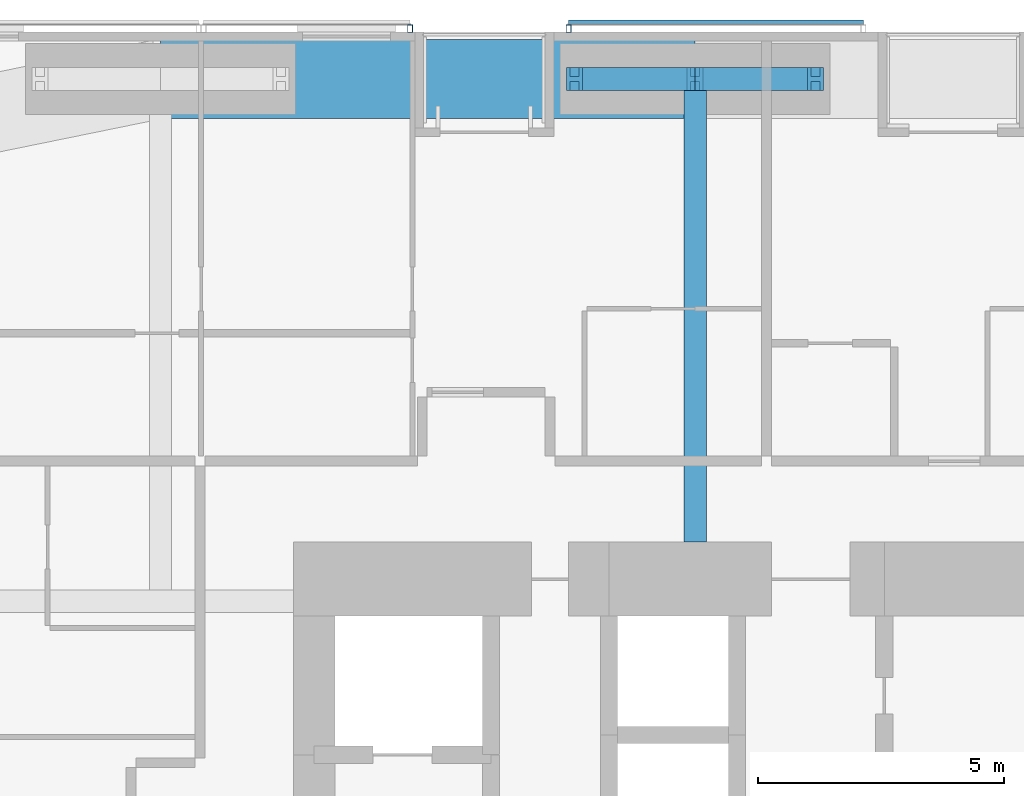
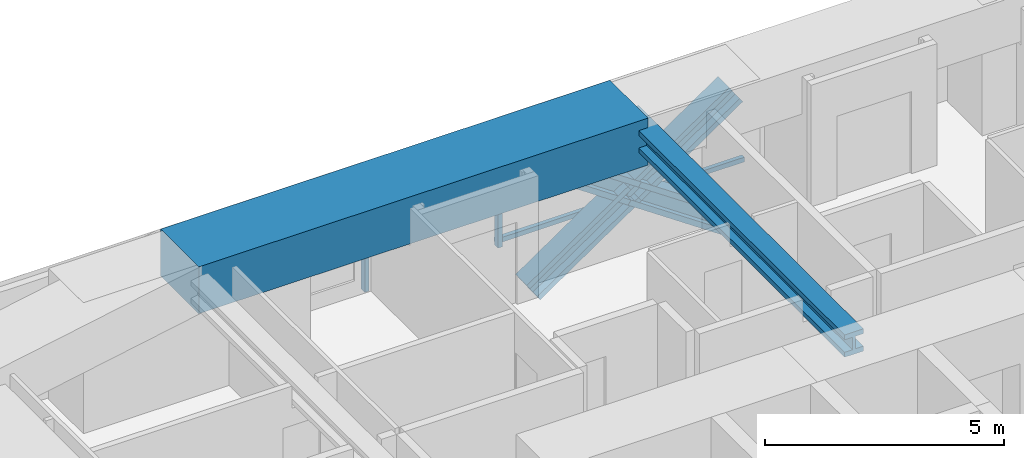
# One storey, part 13 of 25: 7 members, 2 beams, 2 elements without a shape of their own.
"""IFC4 building model written with IfcOpenShell, lengths in metres."""

from ifc_helpers import new_model, si_unit, direction, frame, origin, origin_2d, place, context, subcontext, project, spatial, rectangle, hollow_rectangle, i_section, extrude, material, material_profile, profile_set, type_object, element, aggregate, save


model = new_model("IFC4")

# Units and contexts
model_context = context("Model", 3, precision=1e-05, world=origin(), true_north=direction((0.0, 1.0)))
body_context = subcontext(model_context, "Body", "Model", "MODEL_VIEW")
ifc_project = project(units=[si_unit("LENGTHUNIT", "METRE"), si_unit("AREAUNIT", "SQUARE_METRE"), si_unit("VOLUMEUNIT", "CUBIC_METRE"), si_unit("PLANEANGLEUNIT", "RADIAN"), si_unit("MASSUNIT", "GRAM", prefix="KILO")], contexts=[model_context])

# Site, building, storey
site_placement = place(None, origin())
site = spatial("IfcSite", under=ifc_project, at=site_placement, CompositionType="ELEMENT")
building_placement = place(site_placement, origin())
building = spatial("IfcBuilding", under=site, at=building_placement, Name="Jalousie Tower", CompositionType="ELEMENT")
storey_placement = place(building_placement, frame((0.0, 0.0, 101.5)))
storey = spatial("IfcBuildingStorey", under=building, at=storey_placement, Name="L27", CompositionType="ELEMENT", Elevation=101.5)

# Beam
ifc_material_1 = material(Name="Steel ASTM A992 Grade 50", Category="steel")
ifc_material_profile_1 = material_profile(ifc_material_1, i_section(OverallWidth=0.45458984375, OverallDepth=0.569091796875, WebThickness=0.077880859375, FlangeThickness=0.124755859375, at=origin_2d()), Name="W14X730")
ifc_profile_set_1 = profile_set([ifc_material_profile_1], Name="Steel ASTM A992 Grade 50")
beam_type_1 = type_object("IfcBeamType", Name="LEAN COLLECTOR W14X730", PredefinedType="BEAM", material=ifc_profile_set_1)
beam_1_placement = place(storey_placement, frame((27.75, 37.050048828125, 2.825439453125), z_axis=(0.0, -1.0, 0.0), x_axis=(1.0, 0.0, 0.0)))
element("IfcBeam", 1, at=beam_1_placement, inside=storey, type_object=beam_type_1, Name="Lean collector under L28", PredefinedType="BEAM", context=body_context, shape_type="SweptSolid", body=[
    extrude(i_section(OverallWidth=0.45458984375, OverallDepth=0.569091796875, WebThickness=0.077880859375, FlangeThickness=0.124755859375, at=origin_2d()), origin(), (0.0, 0.0, 1.0), 9.425048828125),
])

# Members
ifc_material_2 = material(Name="Steel ASTM A992 Grade 50", Category="steel")
ifc_material_profile_2 = material_profile(ifc_material_2, i_section(OverallWidth=0.472412109375, OverallDepth=0.5791015625, WebThickness=0.094970703125, FlangeThickness=0.1298828125, at=origin_2d()), Name="W14X808")
ifc_profile_set_2 = profile_set([ifc_material_profile_2], Name="Steel ASTM A992 Grade 50")
member_type_1 = type_object("IfcMemberType", Name="PERIMETER BRACE W14X808", PredefinedType="BRACE", material=ifc_profile_set_2)
for number, where, z_axis, x_axis, name in (
    (2, (25.300048828125, 37.050048828125, -0.60009765625), (0.825500916831, 0.0, 0.564400776321), (0.0, 1.0, 0.0), "Perimeter brace 10 L27 part 1"),
    (3, (27.75, 37.050048828125, 1.074951171875), (0.825500916831, 0.0, 0.564400776321), (0.0, 1.0, 0.0), "Perimeter brace 10 L27 part 2"),
    (4, (30.199951171875, 37.050048828125, -0.60009765625), (-0.825500916831, 0.0, 0.564400776321), (0.0, -1.0, 0.0), "Perimeter brace 10 L27 part 3"),
    (5, (27.75, 37.050048828125, 1.074951171875), (-0.825500916831, 0.0, 0.564400776321), (0.0, -1.0, 0.0), "Perimeter brace 10 L27 part 4"),
):
    element("IfcMember", number, at=place(storey_placement, frame(where, z_axis=z_axis, x_axis=x_axis)), inside=storey, type_object=member_type_1, Name=name, PredefinedType="BRACE", context=body_context, shape_type="SweptSolid", body=[
        extrude(i_section(OverallWidth=0.472412109375, OverallDepth=0.5791015625, WebThickness=0.094970703125, FlangeThickness=0.1298828125, at=origin_2d()), origin(), (0.0, 0.0, 1.0), 2.9677734375),
    ])

# Beam
ifc_material_3 = material(Name="Concrete f'c 40 MPa", Category="concrete")
ifc_material_profile_3 = material_profile(ifc_material_3, rectangle(XDim=1.60009765625, YDim=1.199951171875, at=origin_2d()), Name="RC 1600x1200")
ifc_profile_set_3 = profile_set([ifc_material_profile_3], Name="Concrete f'c 40 MPa")
beam_type_2 = type_object("IfcBeamType", Name="RC BEAM 1600x1200", PredefinedType="BEAM", material=ifc_profile_set_3)
beam_2_placement = place(storey_placement, frame((27.75, 37.050048828125, 2.75), z_axis=(-1.0, 0.0, 0.0), x_axis=(0.0, -1.0, 0.0)))
element("IfcBeam", 6, at=beam_2_placement, inside=storey, type_object=beam_type_2, Name="Edge band beam 10-11 under L28", PredefinedType="BEAM", context=body_context, shape_type="SweptSolid", body=[
    extrude(rectangle(XDim=1.60009765625, YDim=1.199951171875, at=origin_2d()), origin(), (0.0, 0.0, 1.0), 10.875),
])

# Curtain wall, member
ifc_material_4 = material(Name="Perforated aluminium sheet", Category="aluminium")
curtain_wall_type = type_object("IfcCurtainWallType", Name="SOLAR SCREEN SS-1", PredefinedType="USERDEFINED", material=ifc_material_4)
curtain_wall_1_placement = place(storey_placement, origin())
curtain_wall_1 = element("IfcCurtainWall", 7, at=curtain_wall_1_placement, inside=storey, type_object=curtain_wall_type, Name="Solar screen L27", ObjectType="SOLAR SCREEN SS-1", PredefinedType="USERDEFINED")
ifc_material_5 = material(Name="Steel ASTM A500 Grade C", Category="steel")
ifc_material_profile_4 = material_profile(ifc_material_5, hollow_rectangle(XDim=0.1015625, YDim=0.15234375, WallThickness=0.00634765625, at=origin_2d()), Name="HSS6X4X1/4")
ifc_profile_set_4 = profile_set([ifc_material_profile_4], Name="Steel ASTM A500 Grade C")
member_type_2 = type_object("IfcMemberType", Name="SOLAR SCREEN SS-1 MULLION", PredefinedType="MULLION", material=ifc_profile_set_4)
member_1_placement = place(storey_placement, frame((25.175048828125, 38.0712890625, -0.1201171875), z_axis=(0.0, 0.0, 1.0), x_axis=(-1.0, 0.0, 0.0)))
member_1 = element("IfcMember", 8, at=member_1_placement, type_object=member_type_2, Name="SS1 post 2", PredefinedType="MULLION", context=body_context, shape_type="SweptSolid", body=[
    extrude(hollow_rectangle(XDim=0.1015625, YDim=0.15234375, WallThickness=0.00634765625, at=origin_2d()), origin(), (0.0, 0.0, 1.0), 3.230224609375),
])

curtain_wall_2_placement = place(storey_placement, origin())
curtain_wall_2 = element("IfcCurtainWall", 9, at=curtain_wall_2_placement, inside=storey, type_object=curtain_wall_type, Name="Solar screen L27", ObjectType="SOLAR SCREEN SS-1", PredefinedType="USERDEFINED")
member_2_placement = place(storey_placement, frame((21.949951171875, 38.0712890625, -0.1201171875), z_axis=(0.0, 0.0, 1.0), x_axis=(-1.0, 0.0, 0.0)))
member_2 = element("IfcMember", 10, at=member_2_placement, type_object=member_type_2, Name="SS1 post 1", PredefinedType="MULLION", context=body_context, shape_type="SweptSolid", body=[
    extrude(hollow_rectangle(XDim=0.1015625, YDim=0.15234375, WallThickness=0.00634765625, at=origin_2d()), origin(), (0.0, 0.0, 1.0), 3.230224609375),
])
aggregate(curtain_wall_2, [member_2])

# Member
ifc_material_6 = material(Name="Extruded aluminium screen rail", Category="aluminium")
ifc_material_profile_5 = material_profile(ifc_material_6, rectangle(XDim=0.1015625, YDim=0.1201171875, at=origin_2d()), Name="RAIL 102x120")
ifc_profile_set_5 = profile_set([ifc_material_profile_5], Name="Extruded aluminium screen rail")
member_type_3 = type_object("IfcMemberType", Name="SOLAR SCREEN SS-1 TRANSOM", PredefinedType="USERDEFINED", material=ifc_profile_set_5)
member_3_placement = place(storey_placement, frame((31.175048828125, 38.1982421875, -0.06005859375), z_axis=(-1.0, 0.0, 0.0), x_axis=(0.0, -1.0, 0.0)))
member_3 = element("IfcMember", 11, at=member_3_placement, type_object=member_type_3, Name="SS1 rail", ObjectType="TRANSOM", PredefinedType="USERDEFINED", context=body_context, shape_type="SweptSolid", body=[
    extrude(rectangle(XDim=0.1015625, YDim=0.1201171875, at=origin_2d()), origin(), (0.0, 0.0, 1.0), 6.0),
])

aggregate(curtain_wall_1, [member_1, member_3])

save(model, "model.ifc")
